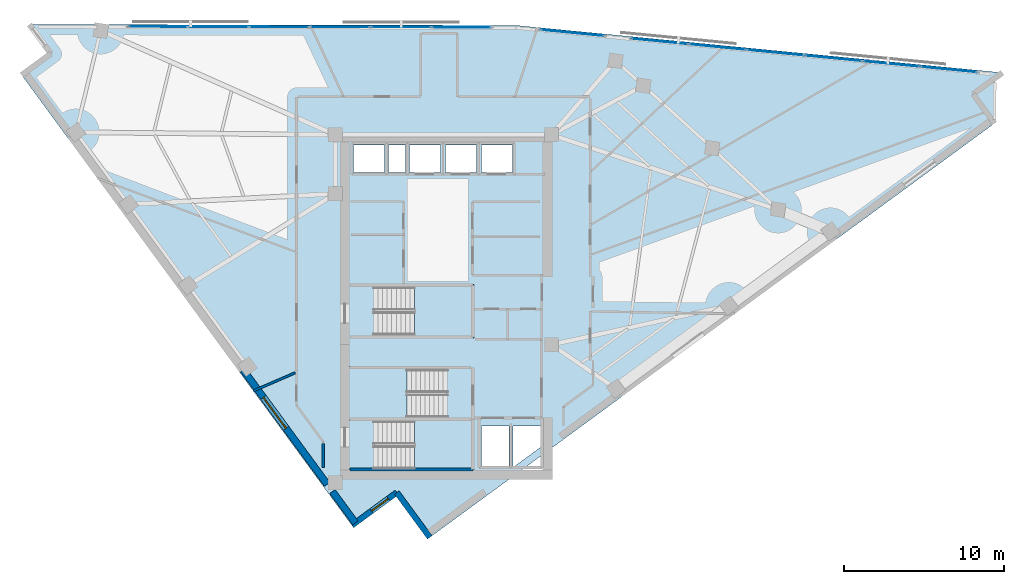
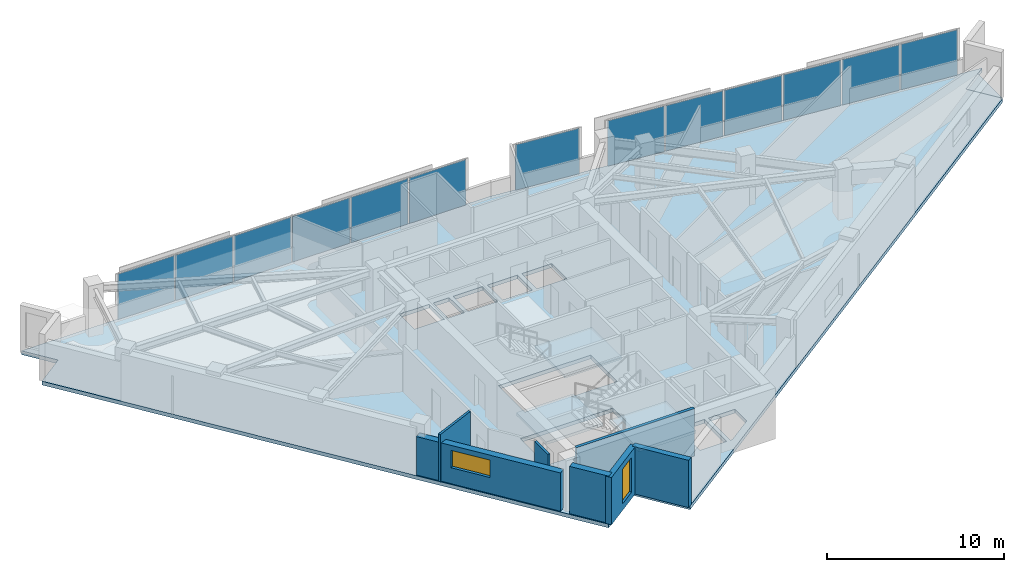
# One storey, part 7 of 14: 13 plates, 7 walls, 5 slabs, 2 windows, 2 openings, 6 elements without a shape of their own.
"""IFC4 building model written with IfcOpenShell, lengths in metres."""

from ifc_helpers import new_model, si_unit, direction, frame, frame_2d, origin, origin_2d, place, context, subcontext, project, spatial, polyline, rectangle, outline, extrude, material, layer, layer_set, type_object, element, fill, aggregate, save


model = new_model("IFC4")

# Units and contexts
model_context = context("Model", 3, precision=1e-05, world=origin(), true_north=direction((0.0, 1.0)))
body_context = subcontext(model_context, "Body", "Model", "MODEL_VIEW")
ifc_project = project(units=[si_unit("LENGTHUNIT", "METRE"), si_unit("AREAUNIT", "SQUARE_METRE"), si_unit("VOLUMEUNIT", "CUBIC_METRE"), si_unit("PLANEANGLEUNIT", "RADIAN"), si_unit("MASSUNIT", "GRAM", prefix="KILO")], contexts=[model_context])

# Site, building, storey
site_placement = place(None, origin())
site = spatial("IfcSite", under=ifc_project, at=site_placement, CompositionType="ELEMENT")
building_placement = place(site_placement, origin())
building = spatial("IfcBuilding", under=site, at=building_placement, Name="Narakoshi Arena Tower", CompositionType="ELEMENT")
storey_placement = place(building_placement, frame((0.0, 0.0, 250.179931640625)))
storey = spatial("IfcBuildingStorey", under=building, at=storey_placement, Name="L68", CompositionType="ELEMENT", Elevation=250.179931640625)

# Curtain wall, plates
ifc_material_1 = material(Name="Anodised bronze aluminium 6063-T6", Category="aluminium")
curtain_wall_type = type_object("IfcCurtainWallType", Name="CW-HYP-HIGH", PredefinedType="NOTDEFINED", material=ifc_material_1)
curtain_wall_1_placement = place(storey_placement, origin())
curtain_wall_1 = element("IfcCurtainWall", 1, at=curtain_wall_1_placement, inside=storey, type_object=curtain_wall_type, Name="L68 Folded Hypotenuse Curtain Wall 1-1", PredefinedType="NOTDEFINED")
ifc_material_2 = material(Name="Bronze-tinted low-E laminated glass", Category="glass")
ifc_layer_1 = layer(ifc_material_2, 0.0439453125)
ifc_layer_set_1 = layer_set([ifc_layer_1], Name="Bronze-tinted low-E laminated glass")
plate_type = type_object("IfcPlateType", Name="PLT-GLZ-44", PredefinedType="CURTAIN_PANEL", material=ifc_layer_set_1)
plate_1_placement = place(storey_placement, frame((110.45458984375, 60.593505859375, 0.065185546875), z_axis=(0.0, 0.0, 1.0), x_axis=(-0.995298860454, 0.096851320996, 0.0)))
plate_1 = element("IfcPlate", 2, at=plate_1_placement, type_object=plate_type, Name="CW-03 panel 1.1", PredefinedType="CURTAIN_PANEL", context=body_context, shape_type="SweptSolid", body=[
    extrude(rectangle(XDim=3.52880859375, YDim=0.0439453125, at=origin_2d()), origin(), (0.0, 0.0, 1.0), 3.1298828125),
])
plate_2_placement = place(storey_placement, frame((106.8427734375, 60.945068359375, 0.065185546875), z_axis=(0.0, 0.0, 1.0), x_axis=(-0.995298860454, 0.096851320996, 0.0)))
plate_2 = element("IfcPlate", 3, at=plate_2_placement, type_object=plate_type, Name="CW-03 panel 2.1", PredefinedType="CURTAIN_PANEL", context=body_context, shape_type="SweptSolid", body=[
    extrude(rectangle(XDim=3.568603515625, YDim=0.0439453125, at=origin_2d()), origin(), (0.0, 0.0, 1.0), 3.1298828125),
])
plate_3_placement = place(storey_placement, frame((103.211181640625, 61.29833984375, 0.065185546875), z_axis=(0.0, 0.0, 1.0), x_axis=(-0.995298860454, 0.096851320996, 0.0)))
plate_3 = element("IfcPlate", 4, at=plate_3_placement, type_object=plate_type, Name="CW-03 panel 3.1", PredefinedType="CURTAIN_PANEL", context=body_context, shape_type="SweptSolid", body=[
    extrude(rectangle(XDim=3.568603515625, YDim=0.0439453125, at=origin_2d()), origin(), (0.0, 0.0, 1.0), 3.1298828125),
])
plate_4_placement = place(storey_placement, frame((99.579833984375, 61.65185546875, 0.065185546875), z_axis=(0.0, 0.0, 1.0), x_axis=(-0.995298860454, 0.096851320996, 0.0)))
plate_4 = element("IfcPlate", 5, at=plate_4_placement, type_object=plate_type, Name="CW-03 panel 4.1", PredefinedType="CURTAIN_PANEL", context=body_context, shape_type="SweptSolid", body=[
    extrude(rectangle(XDim=3.568603515625, YDim=0.0439453125, at=origin_2d()), origin(), (0.0, 0.0, 1.0), 3.1298828125),
])
plate_5_placement = place(storey_placement, frame((95.9482421875, 62.005126953125, 0.065185546875), z_axis=(0.0, 0.0, 1.0), x_axis=(-0.995298860454, 0.096851320996, 0.0)))
plate_5 = element("IfcPlate", 6, at=plate_5_placement, type_object=plate_type, Name="CW-03 panel 5.1", PredefinedType="CURTAIN_PANEL", context=body_context, shape_type="SweptSolid", body=[
    extrude(rectangle(XDim=3.568603515625, YDim=0.0439453125, at=origin_2d()), origin(), (0.0, 0.0, 1.0), 3.1298828125),
])
plate_6_placement = place(storey_placement, frame((92.33642578125, 62.356689453125, 0.065185546875), z_axis=(0.0, 0.0, 1.0), x_axis=(-0.995298860454, 0.096851320996, 0.0)))
plate_6 = element("IfcPlate", 7, at=plate_6_placement, type_object=plate_type, Name="CW-03 panel 6.1", PredefinedType="CURTAIN_PANEL", context=body_context, shape_type="SweptSolid", body=[
    extrude(rectangle(XDim=3.52880859375, YDim=0.0439453125, at=origin_2d()), origin(), (0.0, 0.0, 1.0), 3.1298828125),
])
aggregate(curtain_wall_1, [plate_1, plate_2, plate_3, plate_4, plate_5, plate_6])

# Curtain wall, plate
curtain_wall_2_placement = place(storey_placement, origin())
curtain_wall_2 = element("IfcCurtainWall", 8, at=curtain_wall_2_placement, inside=storey, type_object=curtain_wall_type, Name="L68 Folded Hypotenuse Curtain Wall 1-2", PredefinedType="NOTDEFINED")
plate_7_placement = place(storey_placement, frame((86.862060546875, 62.889404296875, 0.065185546875), z_axis=(0.0, 0.0, 1.0), x_axis=(-0.995299683896, 0.096842858471, 0.0)))
plate_7 = element("IfcPlate", 9, at=plate_7_placement, type_object=plate_type, Name="CW-03 panel 1.1", PredefinedType="CURTAIN_PANEL", context=body_context, shape_type="SweptSolid", body=[
    extrude(rectangle(XDim=3.9560546875, YDim=0.0439453125, at=origin_2d()), origin(), (0.0, 0.0, 1.0), 3.1298828125),
])
aggregate(curtain_wall_2, [plate_7])

# Curtain wall, plates
curtain_wall_3_placement = place(storey_placement, origin())
curtain_wall_3 = element("IfcCurtainWall", 10, at=curtain_wall_3_placement, inside=storey, type_object=curtain_wall_type, Name="L68 Folded Hypotenuse Curtain Wall 2-1", PredefinedType="NOTDEFINED")
plate_8_placement = place(storey_placement, frame((79.907470703125, 63.239501953125, 0.065185546875), z_axis=(0.0, 0.0, 1.0), x_axis=(-0.999998343986, 0.001819896899, 0.0)))
plate_8 = element("IfcPlate", 11, at=plate_8_placement, type_object=plate_type, Name="CW-03 panel 1.1", PredefinedType="CURTAIN_PANEL", context=body_context, shape_type="SweptSolid", body=[
    extrude(rectangle(XDim=3.689697265625, YDim=0.0439453125, at=origin_2d()), origin(), (0.0, 0.0, 1.0), 3.1298828125),
])
plate_9_placement = place(storey_placement, frame((76.11767578125, 63.246337890625, 0.065185546875), z_axis=(0.0, 0.0, 1.0), x_axis=(-0.999998343986, 0.001819896899, 0.0)))
plate_9 = element("IfcPlate", 12, at=plate_9_placement, type_object=plate_type, Name="CW-03 panel 2.1", PredefinedType="CURTAIN_PANEL", context=body_context, shape_type="SweptSolid", body=[
    extrude(rectangle(XDim=3.729736328125, YDim=0.0439453125, at=origin_2d()), origin(), (0.0, 0.0, 1.0), 3.1298828125),
])
plate_10_placement = place(storey_placement, frame((72.307861328125, 63.25341796875, 0.065185546875), z_axis=(0.0, 0.0, 1.0), x_axis=(-0.999998343986, 0.001819896899, 0.0)))
plate_10 = element("IfcPlate", 13, at=plate_10_placement, type_object=plate_type, Name="CW-03 panel 3.1", PredefinedType="CURTAIN_PANEL", context=body_context, shape_type="SweptSolid", body=[
    extrude(rectangle(XDim=3.729736328125, YDim=0.0439453125, at=origin_2d()), origin(), (0.0, 0.0, 1.0), 3.1298828125),
])
plate_11_placement = place(storey_placement, frame((68.498291015625, 63.26025390625, 0.065185546875), z_axis=(0.0, 0.0, 1.0), x_axis=(-0.999998343986, 0.001819896899, 0.0)))
plate_11 = element("IfcPlate", 14, at=plate_11_placement, type_object=plate_type, Name="CW-03 panel 4.1", PredefinedType="CURTAIN_PANEL", context=body_context, shape_type="SweptSolid", body=[
    extrude(rectangle(XDim=3.729736328125, YDim=0.0439453125, at=origin_2d()), origin(), (0.0, 0.0, 1.0), 3.1298828125),
])
plate_12_placement = place(storey_placement, frame((64.6884765625, 63.26708984375, 0.065185546875), z_axis=(0.0, 0.0, 1.0), x_axis=(-0.999998343986, 0.001819896899, 0.0)))
plate_12 = element("IfcPlate", 15, at=plate_12_placement, type_object=plate_type, Name="CW-03 panel 5.1", PredefinedType="CURTAIN_PANEL", context=body_context, shape_type="SweptSolid", body=[
    extrude(rectangle(XDim=3.729736328125, YDim=0.0439453125, at=origin_2d()), origin(), (0.0, 0.0, 1.0), 3.1298828125),
])
plate_13_placement = place(storey_placement, frame((60.898681640625, 63.274169921875, 0.065185546875), z_axis=(0.0, 0.0, 1.0), x_axis=(-0.999998343986, 0.001819896899, 0.0)))
plate_13 = element("IfcPlate", 16, at=plate_13_placement, type_object=plate_type, Name="CW-03 panel 6.1", PredefinedType="CURTAIN_PANEL", context=body_context, shape_type="SweptSolid", body=[
    extrude(rectangle(XDim=3.689697265625, YDim=0.0439453125, at=origin_2d()), origin(), (0.0, 0.0, 1.0), 3.1298828125),
])
aggregate(curtain_wall_3, [plate_8, plate_9, plate_10, plate_11, plate_12, plate_13])

# Stair, slab
ifc_material_3 = material(Name="Concrete C45/55", Category="concrete")
stair_type = type_object("IfcStairType", Name="STR-CORE-352", PredefinedType="TWO_STRAIGHT_RUN_STAIR", material=ifc_material_3)
stair_1_placement = place(storey_placement, origin())
stair_1 = element("IfcStair", 17, at=stair_1_placement, inside=storey, type_object=stair_type, Name="L68 Core Escape Stair ST1", PredefinedType="TWO_STRAIGHT_RUN_STAIR")
ifc_layer_2 = layer(ifc_material_3, 0.18994140625)
ifc_layer_set_2 = layer_set([ifc_layer_2], Name="Concrete C45/55")
slab_type_1 = type_object("IfcSlabType", Name="SLB-LND-190", PredefinedType="LANDING", material=ifc_layer_set_2)
slab_1_placement = place(storey_placement, frame((0.0, 0.0, 1.570068359375)))
slab_1 = element("IfcSlab", 18, at=slab_1_placement, type_object=slab_type_1, Name="ST1 landing 1", PredefinedType="LANDING", context=body_context, shape_type="SweptSolid", body=[
    extrude(outline(polyline([(76.965087890625, 35.3701171875), (80.679931640625, 35.3701171875), (80.679931640625, 38.72998046875), (76.965087890625, 38.72998046875), (76.965087890625, 35.3701171875)])), origin(), (0.0, 0.0, 1.0), 0.18994140625),
])
aggregate(stair_1, [slab_1])

stair_2_placement = place(storey_placement, origin())
stair_2 = element("IfcStair", 19, at=stair_2_placement, inside=storey, type_object=stair_type, Name="L68 Core Escape Stair ST2", PredefinedType="TWO_STRAIGHT_RUN_STAIR")
slab_2_placement = place(storey_placement, frame((0.0, 0.0, 1.570068359375)))
slab_2 = element("IfcSlab", 20, at=slab_2_placement, type_object=slab_type_1, Name="ST2 landing 1", PredefinedType="LANDING", context=body_context, shape_type="SweptSolid", body=[
    extrude(outline(polyline([(72.77001953125, 38.6201171875), (76.485107421875, 38.6201171875), (76.485107421875, 41.97998046875), (72.77001953125, 41.97998046875), (72.77001953125, 38.6201171875)])), origin(), (0.0, 0.0, 1.0), 0.18994140625),
])
aggregate(stair_2, [slab_2])

stair_3_placement = place(storey_placement, origin())
stair_3 = element("IfcStair", 21, at=stair_3_placement, inside=storey, type_object=stair_type, Name="L68 Core Escape Stair ST3", PredefinedType="TWO_STRAIGHT_RUN_STAIR")
slab_3_placement = place(storey_placement, frame((0.0, 0.0, 1.570068359375)))
slab_3 = element("IfcSlab", 22, at=slab_3_placement, type_object=slab_type_1, Name="ST3 landing 1", PredefinedType="LANDING", context=body_context, shape_type="SweptSolid", body=[
    extrude(outline(polyline([(76.965087890625, 43.77001953125), (80.679931640625, 43.77001953125), (80.679931640625, 47.1298828125), (76.965087890625, 47.1298828125), (76.965087890625, 43.77001953125)])), origin(), (0.0, 0.0, 1.0), 0.18994140625),
])
aggregate(stair_3, [slab_3])

# Slabs
ifc_material_4 = material(Name="Concrete C50/60", Category="concrete")
ifc_layer_3 = layer(ifc_material_4, 0.260009765625)
ifc_layer_set_3 = layer_set([ifc_layer_3], Name="Concrete C50/60")
slab_type_2 = type_object("IfcSlabType", Name="SLB-SKY-260", PredefinedType="FLOOR", material=ifc_layer_set_3)
slab_4_placement = place(storey_placement, frame((0.0, 0.0, -0.260009765625)))
element("IfcSlab", 23, at=slab_4_placement, inside=storey, type_object=slab_type_2, Name="L68 Structural Floor Slab", PredefinedType="FLOOR", context=body_context, shape_type="SweptSolid", body=[
    extrude(outline(polyline([(77.922607421875, 31.273193359375), (113.306640625, 57.218017578125), (111.96533203125, 59.047607421875), (113.794921875, 60.38916015625), (83.33251953125, 63.353271484375), (52.84521484375, 63.40869140625), (54.1865234375, 61.5791015625), (52.357177734375, 60.23779296875), (73.044189453125, 32.024169921875), (75.858642578125, 34.087890625), (77.922607421875, 31.273193359375)]), holes=[polyline([(80.5, 35.550048828125), (74.47998046875, 35.550048828125), (74.47998046875, 38.550048828125), (80.5, 38.550048828125), (80.5, 35.550048828125)]), polyline([(82.89990234375, 35.75), (81.14990234375, 35.75), (81.14990234375, 38.25), (82.89990234375, 38.25), (82.89990234375, 35.75)]), polyline([(84.89990234375, 36.947509765625), (83.266845703125, 35.75), (83.14990234375, 35.75), (83.14990234375, 38.25), (84.89990234375, 38.25), (84.89990234375, 36.947509765625)]), polyline([(72.949951171875, 38.800048828125), (72.949951171875, 41.800048828125), (78.969970703125, 41.800048828125), (78.969970703125, 38.800048828125), (72.949951171875, 38.800048828125)]), polyline([(74.47998046875, 43.949951171875), (74.47998046875, 46.949951171875), (80.5, 46.949951171875), (80.5, 43.949951171875), (74.47998046875, 43.949951171875)]), polyline([(75.10009765625, 54.14990234375), (73.14990234375, 54.14990234375), (73.14990234375, 55.85009765625), (75.10009765625, 55.85009765625), (75.10009765625, 54.14990234375)]), polyline([(76.39990234375, 54.14990234375), (75.35009765625, 54.14990234375), (75.35009765625, 55.85009765625), (76.39990234375, 55.85009765625), (76.39990234375, 54.14990234375)]), polyline([(78.60009765625, 54.14990234375), (76.64990234375, 54.14990234375), (76.64990234375, 55.85009765625), (78.60009765625, 55.85009765625), (78.60009765625, 54.14990234375)]), polyline([(78.89990234375, 54.14990234375), (78.89990234375, 55.85009765625), (80.85009765625, 55.85009765625), (80.85009765625, 54.14990234375), (78.89990234375, 54.14990234375)]), polyline([(81.14990234375, 54.14990234375), (81.14990234375, 55.85009765625), (83.10009765625, 55.85009765625), (83.10009765625, 54.14990234375), (81.14990234375, 54.14990234375)])]), origin(), (0.0, 0.0, 1.0), 0.260009765625),
])
ifc_layer_4 = layer(ifc_material_3, 0.239990234375)
ifc_layer_set_4 = layer_set([ifc_layer_4], Name="Concrete C45/55")
slab_type_3 = type_object("IfcSlabType", Name="SLB-TERR-240", PredefinedType="ROOF", material=ifc_layer_set_4)
slab_5_placement = place(storey_placement, frame((0.0, 0.0, -0.239990234375)))
element("IfcSlab", 24, at=slab_5_placement, inside=storey, type_object=slab_type_3, Name="L68 Corner Notch Loggia Balcony Slab", PredefinedType="ROOF", context=body_context, shape_type="SweptSolid", body=[
    extrude(outline(polyline([(113.319091796875, 60.0380859375), (111.968017578125, 59.047119140625), (113.306884765625, 57.220947265625), (113.319091796875, 60.0380859375)])), origin(), (0.0, 0.0, 1.0), 0.239990234375),
])

# Wall, opening, window
ifc_material_5 = material(Name="Precast concrete C45/55", Category="concrete")
ifc_layer_5 = layer(ifc_material_5, 0.419921875)
ifc_layer_set_5 = layer_set([ifc_layer_5], Name="Precast concrete C45/55")
wall_type_1 = type_object("IfcWallType", Name="WL-POD-420", PredefinedType="SOLIDWALL", material=ifc_layer_set_5)
wall_1_placement = place(storey_placement, frame((66.232421875, 41.779296875, 0.0), z_axis=(0.0, 0.0, 1.0), x_axis=(0.591309008949, -0.806445073105, 0.0)))
wall_1 = element("IfcWall", 25, at=wall_1_placement, inside=storey, type_object=wall_type_1, Name="L68 Architectural Concrete Facade Wall LEGB-3", PredefinedType="SOLIDWALL", context=body_context, shape_type="SweptSolid", body=[
    extrude(rectangle(XDim=8.908447265625, YDim=0.419921875, at=frame_2d((4.4541015625, 0.0))), origin(), (0.0, 0.0, 1.0), 2.64501953125),
])
opening_1_placement = place(wall_1_placement, frame((2.14892578125, 0.0, 1.10009765625)))
opening_1 = element("IfcOpeningElement", 26, at=opening_1_placement, cuts=wall_1, Name="Opening WN-04", PredefinedType="OPENING", context=body_context, shape_type="SweptSolid", body=[
    extrude(rectangle(XDim=2.39990234375, YDim=1.199951171875, at=frame_2d((1.199951171875, 0.60009765625))), frame((0.0, 0.219970703125, 0.0), z_axis=(0.0, -1.0, 0.0), x_axis=(1.0, 0.0, 0.0)), (0.0, 0.0, 1.0), 0.43994140625),
])
window_type_1 = type_object("IfcWindowType", Name="WIN-SLT-24x12", PartitioningType="SINGLE_PANEL", PredefinedType="WINDOW", material=ifc_material_2)
window_1_placement = place(opening_1_placement, origin())
window_1 = element("IfcWindow", 27, at=window_1_placement, inside=storey, type_object=window_type_1, Name="L68 LEGB3 Horizontal Slot Window 1", OverallHeight=1.199951171875, OverallWidth=2.39990234375, PartitioningType="SINGLE_PANEL", PredefinedType="WINDOW", context=body_context, shape_type="SweptSolid", body=[
    extrude(rectangle(XDim=2.39990234375, YDim=1.199951171875, at=frame_2d((1.199951171875, 0.60009765625))), frame((0.0, 0.030029296875, 0.0), z_axis=(0.0, -1.0, 0.0), x_axis=(1.0, 0.0, 0.0)), (0.0, 0.0, 1.0), 0.06005859375),
])
fill(opening_1, window_1)

# Wall
wall_2_placement = place(storey_placement, frame((71.826416015625, 34.14990234375, 0.0), z_axis=(0.0, 0.0, 1.0), x_axis=(0.591315835946, -0.806440067308, 0.0)))
element("IfcWall", 28, at=wall_2_placement, inside=storey, type_object=wall_type_1, Name="L68 Architectural Concrete Facade Wall LEGB-4", PredefinedType="SOLIDWALL", context=body_context, shape_type="SweptSolid", body=[
    extrude(rectangle(XDim=2.434326171875, YDim=0.419921875, at=frame_2d((1.21728515625, 0.0))), origin(), (0.0, 0.0, 1.0), 3.260009765625),
])

# Wall, opening, window
wall_3_placement = place(storey_placement, frame((73.044189453125, 32.024169921875, 0.0), z_axis=(0.0, 0.0, 1.0), x_axis=(0.806433906667, 0.591324237774, 0.0)))
wall_3 = element("IfcWall", 29, at=wall_3_placement, inside=storey, type_object=wall_type_1, Name="L68 Re-Entrant Corner Notch Wall NTA-1", PredefinedType="SOLIDWALL", context=body_context, shape_type="SweptSolid", body=[
    extrude(rectangle(XDim=3.489990234375, YDim=0.360107421875, at=frame_2d((1.7451171875, 0.0))), origin(), (0.0, 0.0, 1.0), 3.260009765625),
])
opening_2_placement = place(wall_3_placement, frame((1.535400390625, 0.0, 0.449951171875)))
opening_2 = element("IfcOpeningElement", 30, at=opening_2_placement, cuts=wall_3, Name="Opening WN-06", PredefinedType="OPENING", context=body_context, shape_type="SweptSolid", body=[
    extrude(rectangle(XDim=1.300048828125, YDim=2.39990234375, at=frame_2d((0.64990234375, 1.199951171875))), frame((0.0, 0.18994140625, 0.0), z_axis=(0.0, -1.0, 0.0), x_axis=(1.0, 0.0, 0.0)), (0.0, 0.0, 1.0), 0.380126953125),
])
window_type_2 = type_object("IfcWindowType", Name="WIN-NTC-16x24", PartitioningType="SINGLE_PANEL", PredefinedType="WINDOW", material=ifc_material_2)
window_2_placement = place(opening_2_placement, origin())
window_2 = element("IfcWindow", 31, at=window_2_placement, inside=storey, type_object=window_type_2, Name="L68 Corner Notch Window NTA", OverallHeight=2.39990234375, OverallWidth=1.300048828125, PartitioningType="SINGLE_PANEL", PredefinedType="WINDOW", context=body_context, shape_type="SweptSolid", body=[
    extrude(rectangle(XDim=1.300048828125, YDim=2.39990234375, at=frame_2d((0.64990234375, 1.199951171875))), frame((0.0, 0.030029296875, 0.0), z_axis=(0.0, -1.0, 0.0), x_axis=(1.0, 0.0, 0.0)), (0.0, 0.0, 1.0), 0.06005859375),
])
fill(opening_2, window_2)

# Walls
wall_4_placement = place(storey_placement, frame((75.858642578125, 34.087890625, 0.0), z_axis=(0.0, 0.0, 1.0), x_axis=(0.591336371625, -0.806425009281, 0.0)))
element("IfcWall", 32, at=wall_4_placement, inside=storey, type_object=wall_type_1, Name="L68 Re-Entrant Corner Notch Wall NTA-2", PredefinedType="SOLIDWALL", context=body_context, shape_type="SweptSolid", body=[
    extrude(rectangle(XDim=3.490234375, YDim=0.360107421875, at=frame_2d((1.7451171875, 0.0))), origin(), (0.0, 0.0, 1.0), 3.260009765625),
])
ifc_layer_6 = layer(ifc_material_4, 0.35009765625)
ifc_layer_set_6 = layer_set([ifc_layer_6], Name="Concrete C50/60")
wall_type_2 = type_object("IfcWallType", Name="WL-SHAFT-350", PredefinedType="SOLIDWALL", material=ifc_layer_set_6)
wall_5_placement = place(storey_placement, frame((72.919921875, 35.52001953125, -0.260009765625), z_axis=(0.0, 0.0, 1.0), x_axis=(1.0, 0.0, 0.0)))
element("IfcWall", 33, at=wall_5_placement, inside=storey, type_object=wall_type_2, Name="L68 Core Wall ST1-S", PredefinedType="SOLIDWALL", context=body_context, shape_type="SweptSolid", body=[
    extrude(rectangle(XDim=7.7001953125, YDim=0.199951171875, at=frame_2d((3.85009765625, 0.0))), origin(), (0.0, 0.0, 1.0), 3.52001953125),
])
ifc_material_6 = material(Name="Moisture-resistant cement-board partition")
ifc_layer_7 = layer(ifc_material_6, 0.14501953125)
ifc_layer_set_7 = layer_set([ifc_layer_7], Name="Moisture-resistant cement-board partition")
wall_type_3 = type_object("IfcWallType", Name="WL-WET-145", PredefinedType="PARTITIONING", material=ifc_layer_set_7)
wall_6_placement = place(storey_placement, frame((66.865966796875, 40.449951171875, 0.0), z_axis=(0.0, 0.0, 1.0), x_axis=(0.917703061547, 0.397267027109, 0.0)))
element("IfcWall", 34, at=wall_6_placement, inside=storey, type_object=wall_type_3, Name="L68 Inter-Room Partition 01-09", PredefinedType="PARTITIONING", context=body_context, shape_type="SweptSolid", body=[
    extrude(rectangle(XDim=2.858154296875, YDim=0.14501953125, at=frame_2d((1.42919921875, 0.0))), origin(), (0.0, 0.0, 1.0), 3.260009765625),
])
wall_7_placement = place(storey_placement, frame((71.25, 37.159912109375, 0.0), z_axis=(0.0, 0.0, 1.0), x_axis=(0.0, -1.0, 0.0)))
element("IfcWall", 35, at=wall_7_placement, inside=storey, type_object=wall_type_3, Name="L68 Room Enclosure Partition 01-1", PredefinedType="PARTITIONING", context=body_context, shape_type="SweptSolid", body=[
    extrude(rectangle(XDim=1.49658203125, YDim=0.14501953125, at=frame_2d((0.748291015625, 0.0))), origin(), (0.0, 0.0, 1.0), 3.260009765625),
])

save(model, "model.ifc")
